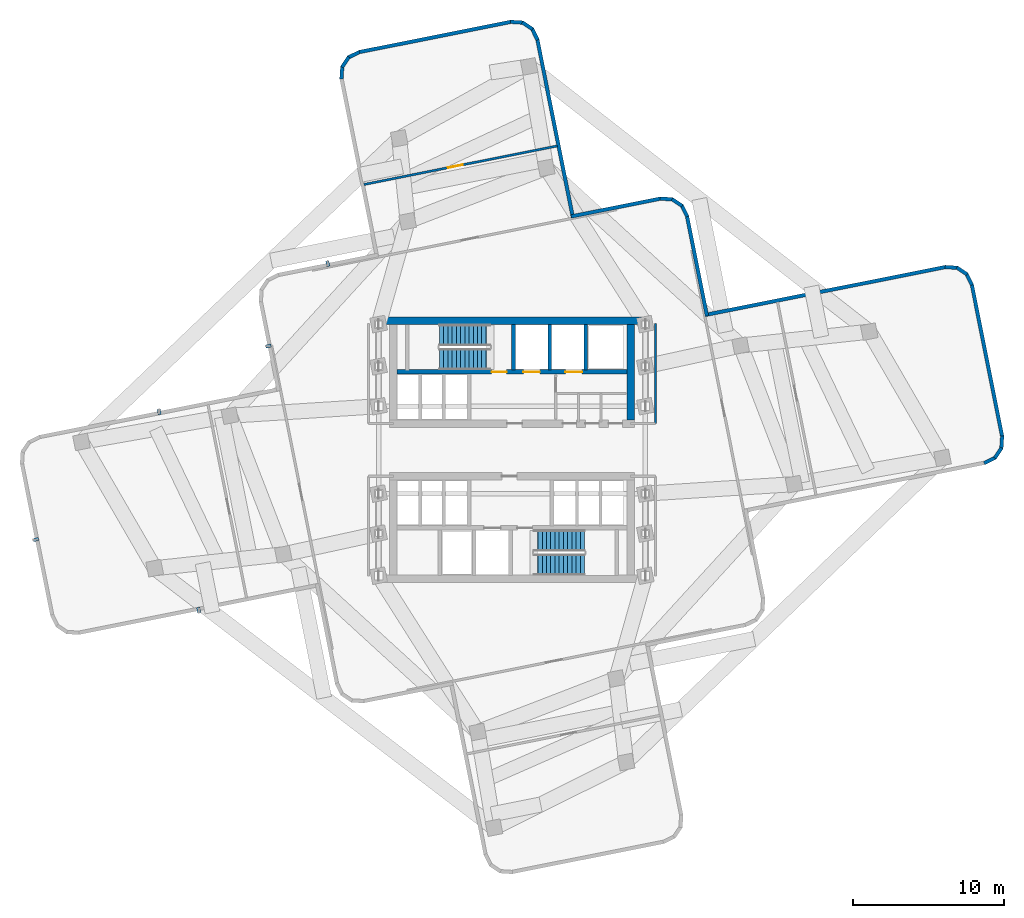
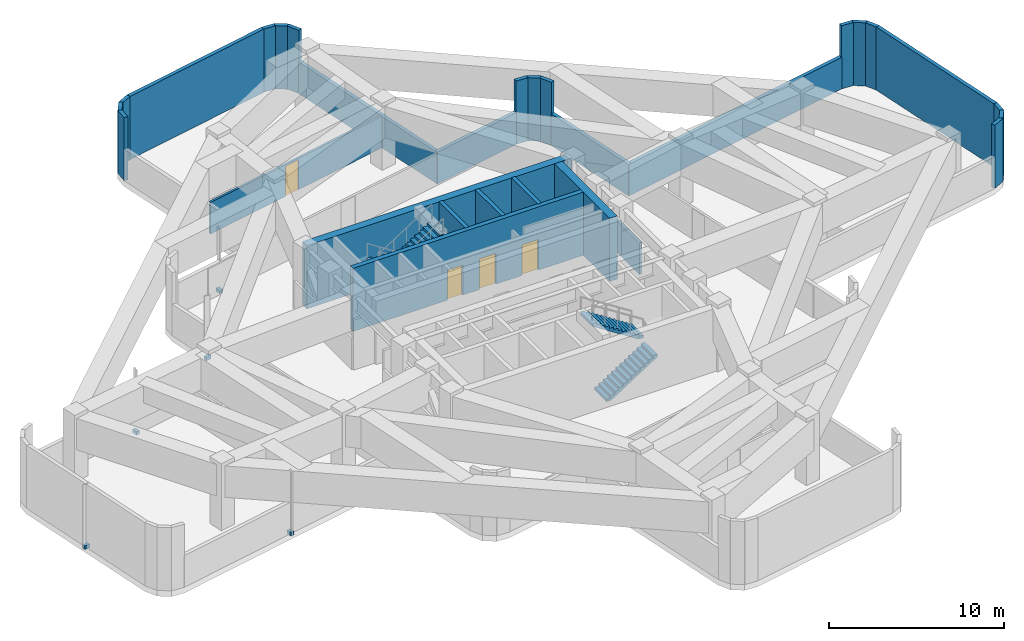
# One storey, part 5 of 7: 29 walls, 5 discrete accessories, 4 doors, 4 stair flights, 4 openings, 2 elements without a shape of their own.
"""IFC4 building model written with IfcOpenShell, lengths in metres."""

from ifc_helpers import new_model, si_unit, direction, frame, frame_2d, origin, origin_2d, place, context, subcontext, project, spatial, polyline, rectangle, outline, extrude, material, layer, layer_set, type_object, element, fill, aggregate, save


model = new_model("IFC4")

# Units and contexts
model_context = context("Model", 3, precision=1e-05, world=origin(), true_north=direction((0.0, 1.0)))
body_context = subcontext(model_context, "Body", "Model", "MODEL_VIEW")
ifc_project = project(units=[si_unit("LENGTHUNIT", "METRE"), si_unit("AREAUNIT", "SQUARE_METRE"), si_unit("VOLUMEUNIT", "CUBIC_METRE"), si_unit("PLANEANGLEUNIT", "RADIAN"), si_unit("MASSUNIT", "GRAM", prefix="KILO")], contexts=[model_context])

# Site, building, storey
site_placement = place(None, origin())
site = spatial("IfcSite", under=ifc_project, at=site_placement, CompositionType="ELEMENT")
building_placement = place(site_placement, origin())
building = spatial("IfcBuilding", under=site, at=building_placement, Name="Solmarez Civic Tower", CompositionType="ELEMENT")
storey_placement = place(building_placement, frame((0.0, 0.0, 107.280029296875)))
storey = spatial("IfcBuildingStorey", under=building, at=storey_placement, Name="L28", CompositionType="ELEMENT", Elevation=107.280029296875)

# Walls
ifc_material_1 = material(Name="Concrete C60/75", Category="concrete")
ifc_layer_1 = layer(ifc_material_1, 0.5)
ifc_layer_set_1 = layer_set([ifc_layer_1], Name="Concrete C60/75")
wall_type_1 = type_object("IfcWallType", Name="WALL-CORE-500", PredefinedType="SHEAR", material=ifc_layer_set_1)
wall_1_placement = place(storey_placement, frame((-8.780029296875, 8.56005859375, 0.0), z_axis=(0.0, 0.0, 1.0), x_axis=(1.0, 0.0, 0.0)))
element("IfcWall", 1, at=wall_1_placement, inside=storey, type_object=wall_type_1, Name="L28 Split-Core Structural Wall NCW-N-L28", PredefinedType="SHEAR", context=body_context, shape_type="SweptSolid", body=[
    extrude(rectangle(XDim=17.56005859375, YDim=0.5, at=frame_2d((8.780029296875, 0.0))), origin(), (0.0, 0.0, 1.0), 4.419921875),
])
wall_2_placement = place(storey_placement, frame((7.8701171875, 8.31005859375, 0.0), z_axis=(0.0, 0.0, 1.0), x_axis=(0.0, -1.0, 0.0)))
element("IfcWall", 2, at=wall_2_placement, inside=storey, type_object=wall_type_1, Name="L28 Split-Core Structural Wall NCW-E-L28", PredefinedType="SHEAR", context=body_context, shape_type="SweptSolid", body=[
    extrude(rectangle(XDim=6.31005859375, YDim=0.5, at=frame_2d((3.155029296875, 0.0))), origin(), (0.0, 0.0, 1.0), 4.419921875),
])
ifc_material_2 = material(Name="Precast concrete C40/50", Category="concrete")
ifc_layer_2 = layer(ifc_material_2, 0.239990234375)
ifc_layer_set_2 = layer_set([ifc_layer_2], Name="Precast concrete C40/50")
wall_type_2 = type_object("IfcWallType", Name="WALL-EXT-240", PredefinedType="SOLIDWALL", material=ifc_layer_set_2)
wall_3_placement = place(storey_placement, frame((-11.322021484375, 24.62109375, 0.0), z_axis=(0.0, 0.0, 1.0), x_axis=(0.066128864644, 0.997811090969, 0.0)))
element("IfcWall", 3, at=wall_3_placement, inside=storey, type_object=wall_type_2, Name="L28 Exterior Precast Wall 21", PredefinedType="SOLIDWALL", context=body_context, shape_type="SweptSolid", body=[
    extrude(rectangle(XDim=0.83056640625, YDim=0.239990234375, at=frame_2d((0.415283203125, 0.0))), origin(), (0.0, 0.0, 1.0), 4.419921875),
])
wall_4_placement = place(storey_placement, frame((-11.282958984375, 25.404052734375, 0.0), z_axis=(0.0, 0.0, 1.0), x_axis=(0.555184616867, 0.831727143475, 0.0)))
element("IfcWall", 4, at=wall_4_placement, inside=storey, type_object=wall_type_2, Name="L28 Exterior Precast Wall 22", PredefinedType="SOLIDWALL", context=body_context, shape_type="SweptSolid", body=[
    extrude(rectangle(XDim=0.81396484375, YDim=0.239990234375, at=frame_2d((0.406982421875, 0.0))), origin(), (0.0, 0.0, 1.0), 4.419921875),
])
wall_5_placement = place(storey_placement, frame((-10.866943359375, 26.049072265625, 0.0), z_axis=(0.0, 0.0, 1.0), x_axis=(0.896360336363, 0.443326231342, 0.0)))
element("IfcWall", 5, at=wall_5_placement, inside=storey, type_object=wall_type_2, Name="L28 Exterior Precast Wall 23", PredefinedType="SOLIDWALL", context=body_context, shape_type="SweptSolid", body=[
    extrude(rectangle(XDim=0.829833984375, YDim=0.239990234375, at=frame_2d((0.4150390625, 0.0))), origin(), (0.0, 0.0, 1.0), 4.419921875),
])
wall_6_placement = place(storey_placement, frame((-10.169921875, 26.40087890625, 0.0), z_axis=(0.0, 0.0, 1.0), x_axis=(0.980690626655, 0.195565576703, 0.0)))
element("IfcWall", 6, at=wall_6_placement, inside=storey, type_object=wall_type_2, Name="L28 Exterior Precast Wall 24", PredefinedType="SOLIDWALL", context=body_context, shape_type="SweptSolid", body=[
    extrude(rectangle(XDim=10.319091796875, YDim=0.239990234375, at=frame_2d((5.15966796875, 0.0))), origin(), (0.0, 0.0, 1.0), 4.419921875),
])
wall_7_placement = place(storey_placement, frame((-0.10009765625, 28.416015625, 0.0), z_axis=(0.0, 0.0, 1.0), x_axis=(0.99788425717, -0.065015454255, 0.0)))
element("IfcWall", 7, at=wall_7_placement, inside=storey, type_object=wall_type_2, Name="L28 Exterior Precast Wall 25", PredefinedType="SOLIDWALL", context=body_context, shape_type="SweptSolid", body=[
    extrude(rectangle(XDim=0.829833984375, YDim=0.239990234375, at=frame_2d((0.4150390625, 0.0))), origin(), (0.0, 0.0, 1.0), 4.419921875),
])
wall_8_placement = place(storey_placement, frame((0.681884765625, 28.3779296875, 0.0), z_axis=(0.0, 0.0, 1.0), x_axis=(0.831635556852, -0.555321799122, 0.0)))
element("IfcWall", 8, at=wall_8_placement, inside=storey, type_object=wall_type_2, Name="L28 Exterior Precast Wall 26", PredefinedType="SOLIDWALL", context=body_context, shape_type="SweptSolid", body=[
    extrude(rectangle(XDim=0.8154296875, YDim=0.239990234375, at=frame_2d((0.40771484375, 0.0))), origin(), (0.0, 0.0, 1.0), 4.419921875),
])
wall_9_placement = place(storey_placement, frame((1.327880859375, 27.9609375, 0.0), z_axis=(0.0, 0.0, 1.0), x_axis=(0.443084385006, -0.896479909292, 0.0)))
element("IfcWall", 9, at=wall_9_placement, inside=storey, type_object=wall_type_2, Name="L28 Exterior Precast Wall 27", PredefinedType="SOLIDWALL", context=body_context, shape_type="SweptSolid", body=[
    extrude(rectangle(XDim=0.82861328125, YDim=0.239990234375, at=frame_2d((0.414306640625, 0.0))), origin(), (0.0, 0.0, 1.0), 4.419921875),
])
wall_10_placement = place(storey_placement, frame((1.678955078125, 27.264892578125, 0.0), z_axis=(0.0, 0.0, 1.0), x_axis=(0.195676792465, -0.980668441875, 0.0)))
element("IfcWall", 10, at=wall_10_placement, inside=storey, type_object=wall_type_2, Name="L28 Exterior Precast Wall 28", PredefinedType="SOLIDWALL", context=body_context, shape_type="SweptSolid", body=[
    extrude(rectangle(XDim=12.076171875, YDim=0.239990234375, at=frame_2d((6.0380859375, 0.0))), origin(), (0.0, 0.0, 1.0), 2.2119140625),
])
wall_11_placement = place(storey_placement, frame((3.928955078125, 15.4970703125, 0.0), z_axis=(0.0, 0.0, 1.0), x_axis=(0.98066404714, 0.19569881616, 0.0)))
element("IfcWall", 11, at=wall_11_placement, inside=storey, type_object=wall_type_2, Name="L28 Exterior Precast Wall 31", PredefinedType="SOLIDWALL", context=body_context, shape_type="SweptSolid", body=[
    extrude(rectangle(XDim=6.075439453125, YDim=0.239990234375, at=frame_2d((3.03759765625, 0.0))), origin(), (0.0, 0.0, 1.0), 2.2119140625),
])
wall_12_placement = place(storey_placement, frame((9.8369140625, 16.68310546875, 0.0), z_axis=(0.0, 0.0, 1.0), x_axis=(0.997865128267, -0.065308389881, 0.0)))
element("IfcWall", 12, at=wall_12_placement, inside=storey, type_object=wall_type_2, Name="L28 Exterior Precast Wall 32", PredefinedType="SOLIDWALL", context=body_context, shape_type="SweptSolid", body=[
    extrude(rectangle(XDim=0.829833984375, YDim=0.239990234375, at=frame_2d((0.4150390625, 0.0))), origin(), (0.0, 0.0, 1.0), 4.419921875),
])
wall_13_placement = place(storey_placement, frame((10.618896484375, 16.64501953125, 0.0), z_axis=(0.0, 0.0, 1.0), x_axis=(0.832188528756, -0.554492788598, 0.0)))
element("IfcWall", 13, at=wall_13_placement, inside=storey, type_object=wall_type_2, Name="L28 Exterior Precast Wall 33", PredefinedType="SOLIDWALL", context=body_context, shape_type="SweptSolid", body=[
    extrude(rectangle(XDim=0.81494140625, YDim=0.239990234375, at=frame_2d((0.407470703125, 0.0))), origin(), (0.0, 0.0, 1.0), 4.419921875),
])
wall_14_placement = place(storey_placement, frame((11.264892578125, 16.22900390625, 0.0), z_axis=(0.0, 0.0, 1.0), x_axis=(0.442616732824, -0.896710894226, 0.0)))
element("IfcWall", 14, at=wall_14_placement, inside=storey, type_object=wall_type_2, Name="L28 Exterior Precast Wall 34", PredefinedType="SOLIDWALL", context=body_context, shape_type="SweptSolid", body=[
    extrude(rectangle(XDim=0.82958984375, YDim=0.239990234375, at=frame_2d((0.414794921875, 0.0))), origin(), (0.0, 0.0, 1.0), 4.419921875),
])
wall_15_placement = place(storey_placement, frame((11.615966796875, 15.531982421875, 0.0), z_axis=(0.0, 0.0, 1.0), x_axis=(0.195679596911, -0.980667882289, 0.0)))
element("IfcWall", 15, at=wall_15_placement, inside=storey, type_object=wall_type_2, Name="L28 Exterior Precast Wall 35", PredefinedType="SOLIDWALL", context=body_context, shape_type="SweptSolid", body=[
    extrude(rectangle(XDim=6.776123046875, YDim=0.239990234375, at=frame_2d((3.38818359375, 0.0))), origin(), (0.0, 0.0, 1.0), 2.2119140625),
])
wall_16_placement = place(storey_placement, frame((12.8291015625, 8.9619140625, 0.0), z_axis=(0.0, 0.0, 1.0), x_axis=(0.980676331544, 0.195637247858, 0.0)))
element("IfcWall", 16, at=wall_16_placement, inside=storey, type_object=wall_type_2, Name="L28 Exterior Precast Wall 38", PredefinedType="SOLIDWALL", context=body_context, shape_type="SweptSolid", body=[
    extrude(rectangle(XDim=16.275390625, YDim=0.239990234375, at=frame_2d((8.1376953125, 0.0))), origin(), (0.0, 0.0, 1.0), 2.2119140625),
])
wall_17_placement = place(storey_placement, frame((28.739990234375, 12.14306640625, 0.0), z_axis=(0.0, 0.0, 1.0), x_axis=(0.997792951373, -0.06640200442, 0.0)))
element("IfcWall", 17, at=wall_17_placement, inside=storey, type_object=wall_type_2, Name="L28 Exterior Precast Wall 39", PredefinedType="SOLIDWALL", context=body_context, shape_type="SweptSolid", body=[
    extrude(rectangle(XDim=0.8310546875, YDim=0.239990234375, at=frame_2d((0.41552734375, 0.0))), origin(), (0.0, 0.0, 1.0), 4.419921875),
])
wall_18_placement = place(storey_placement, frame((29.52294921875, 12.10400390625, 0.0), z_axis=(0.0, 0.0, 1.0), x_axis=(0.831727143475, -0.555184616867, 0.0)))
element("IfcWall", 18, at=wall_18_placement, inside=storey, type_object=wall_type_2, Name="L28 Exterior Precast Wall 40", PredefinedType="SOLIDWALL", context=body_context, shape_type="SweptSolid", body=[
    extrude(rectangle(XDim=0.81396484375, YDim=0.239990234375, at=frame_2d((0.406982421875, 0.0))), origin(), (0.0, 0.0, 1.0), 4.419921875),
])
wall_19_placement = place(storey_placement, frame((30.16796875, 11.68798828125, 0.0), z_axis=(0.0, 0.0, 1.0), x_axis=(0.443794266413, -0.896128701191, 0.0)))
element("IfcWall", 19, at=wall_19_placement, inside=storey, type_object=wall_type_2, Name="L28 Exterior Precast Wall 41", PredefinedType="SOLIDWALL", context=body_context, shape_type="SweptSolid", body=[
    extrude(rectangle(XDim=0.8291015625, YDim=0.239990234375, at=frame_2d((0.41455078125, 0.0))), origin(), (0.0, 0.0, 1.0), 4.419921875),
])
wall_20_placement = place(storey_placement, frame((30.52001953125, 10.991943359375, 0.0), z_axis=(0.0, 0.0, 1.0), x_axis=(0.195565576703, -0.980690626655, 0.0)))
element("IfcWall", 20, at=wall_20_placement, inside=storey, type_object=wall_type_2, Name="L28 Exterior Precast Wall 42", PredefinedType="SOLIDWALL", context=body_context, shape_type="SweptSolid", body=[
    extrude(rectangle(XDim=10.319091796875, YDim=0.239990234375, at=frame_2d((5.15966796875, 0.0))), origin(), (0.0, 0.0, 1.0), 4.419921875),
])
wall_21_placement = place(storey_placement, frame((32.534912109375, 0.922119140625, 0.0), z_axis=(0.0, 0.0, 1.0), x_axis=(-0.066109477186, -0.997812375663, 0.0)))
element("IfcWall", 21, at=wall_21_placement, inside=storey, type_object=wall_type_2, Name="L28 Exterior Precast Wall 43", PredefinedType="SOLIDWALL", context=body_context, shape_type="SweptSolid", body=[
    extrude(rectangle(XDim=0.830810546875, YDim=0.239990234375, at=frame_2d((0.41552734375, 0.0))), origin(), (0.0, 0.0, 1.0), 4.419921875),
])
wall_22_placement = place(storey_placement, frame((32.49609375, 0.138916015625, 0.0), z_axis=(0.0, 0.0, 1.0), x_axis=(-0.555392052936, -0.831588640817, 0.0)))
element("IfcWall", 22, at=wall_22_placement, inside=storey, type_object=wall_type_2, Name="L28 Exterior Precast Wall 44", PredefinedType="SOLIDWALL", context=body_context, shape_type="SweptSolid", body=[
    extrude(rectangle(XDim=0.814208984375, YDim=0.239990234375, at=frame_2d((0.4072265625, 0.0))), origin(), (0.0, 0.0, 1.0), 4.419921875),
])
wall_23_placement = place(storey_placement, frame((32.080078125, -0.506103515625, 0.0), z_axis=(0.0, 0.0, 1.0), x_axis=(-0.896186678749, -0.443677176371, 0.0)))
element("IfcWall", 23, at=wall_23_placement, inside=storey, type_object=wall_type_2, Name="L28 Exterior Precast Wall 45", PredefinedType="SOLIDWALL", context=body_context, shape_type="SweptSolid", body=[
    extrude(rectangle(XDim=0.829345703125, YDim=0.239990234375, at=frame_2d((0.41455078125, 0.0))), origin(), (0.0, 0.0, 1.0), 4.419921875),
])
ifc_material_3 = material(Name="Gypsum Board Acoustic Steel-Stud Partition", Category="steel")
ifc_layer_3 = layer(ifc_material_3, 0.14990234375)
ifc_layer_set_3 = layer_set([ifc_layer_3], Name="Gypsum Board Acoustic Steel-Stud Partition")
wall_type_3 = type_object("IfcWallType", Name="WALL-INT-FIRE-150", PredefinedType="PARTITIONING", material=ifc_layer_set_3)
wall_24_placement = place(storey_placement, frame((9.52001953125, 1.75, 0.0), z_axis=(0.0, 0.0, 1.0), x_axis=(0.0, 1.0, 0.0)))
element("IfcWall", 24, at=wall_24_placement, inside=storey, type_object=wall_type_3, Name="L28 Interior Partition CHW-L28-EN1", PredefinedType="PARTITIONING", context=body_context, shape_type="SweptSolid", body=[
    extrude(rectangle(XDim=6.6298828125, YDim=0.14990234375, at=frame_2d((3.31494140625, 0.0))), origin(), (0.0, 0.0, 1.0), 2.2119140625),
])

# Wall, opening, door
wall_25_placement = place(storey_placement, frame((-9.8310546875, 17.616943359375, 0.0), z_axis=(0.0, 0.0, 1.0), x_axis=(0.980674534157, 0.195646257456, 0.0)))
wall_25 = element("IfcWall", 25, at=wall_25_placement, inside=storey, type_object=wall_type_3, Name="L28 Interior Partition PT-L28-N-MID", PredefinedType="PARTITIONING", context=body_context, shape_type="SweptSolid", body=[
    extrude(rectangle(XDim=13.090087890625, YDim=0.14990234375, at=frame_2d((6.544921875, 0.0))), origin(), (0.0, 0.0, 1.0), 2.2119140625),
])
opening_1_placement = place(wall_25_placement, frame((5.695068359375, 0.0, 0.0)))
opening_1 = element("IfcOpeningElement", 26, at=opening_1_placement, cuts=wall_25, Name="Opening D-04", PredefinedType="OPENING", context=body_context, shape_type="SweptSolid", body=[
    extrude(rectangle(XDim=1.0, YDim=2.10009765625, at=frame_2d((0.5, 1.050048828125))), frame((0.0, 0.0849609375, 0.0), z_axis=(0.0, -1.0, 0.0), x_axis=(1.0, 0.0, 0.0)), (0.0, 0.0, 1.0), 0.169921875),
])
ifc_material_4 = material(Name="Steel-Faced Acoustic Fire Door", Category="steel")
door_type_1 = type_object("IfcDoorType", Name="DOOR-FD60-1000", OperationType="NOTDEFINED", PredefinedType="DOOR", material=ifc_material_4)
door_1_placement = place(opening_1_placement, origin())
door_1 = element("IfcDoor", 27, at=door_1_placement, inside=storey, type_object=door_type_1, Name="L28 Electrical Switchgear Plant Room Door", OperationType="SINGLE_SWING_RIGHT", OverallHeight=2.10009765625, OverallWidth=1.0, PredefinedType="DOOR", context=body_context, shape_type="SweptSolid", body=[
    extrude(rectangle(XDim=1.0, YDim=2.10009765625, at=frame_2d((0.5, 1.050048828125))), frame((0.0, 0.02490234375, 0.0), z_axis=(0.0, -1.0, 0.0), x_axis=(1.0, 0.0, 0.0)), (0.0, 0.0, 1.0), 0.050048828125),
])
fill(opening_1, door_1)

# Wall, openings, doors
ifc_material_5 = material(Name="Concrete C50/60", Category="concrete")
ifc_layer_4 = layer(ifc_material_5, 0.300048828125)
ifc_layer_set_4 = layer_set([ifc_layer_4], Name="Concrete C50/60")
wall_type_4 = type_object("IfcWallType", Name="WALL-STR-300", PredefinedType="SOLIDWALL", material=ifc_layer_set_4)
wall_26_placement = place(storey_placement, frame((7.6201171875, 5.179931640625, 0.0), z_axis=(0.0, 0.0, 1.0), x_axis=(-1.0, 0.0, 0.0)))
wall_26 = element("IfcWall", 28, at=wall_26_placement, inside=storey, type_object=wall_type_4, Name="L28 Split-Core Structural Wall NCW-M-L28", PredefinedType="SOLIDWALL", context=body_context, shape_type="SweptSolid", body=[
    extrude(rectangle(XDim=15.240234375, YDim=0.300048828125, at=frame_2d((7.6201171875, 0.0))), origin(), (0.0, 0.0, 1.0), 4.419921875),
])
opening_2_placement = place(wall_26_placement, frame((5.77001953125, 0.0, 0.0)))
opening_2 = element("IfcOpeningElement", 29, at=opening_2_placement, cuts=wall_26, Name="Opening LD-02", PredefinedType="OPENING", context=body_context, shape_type="SweptSolid", body=[
    extrude(rectangle(XDim=1.10009765625, YDim=2.14990234375, at=frame_2d((0.550048828125, 1.074951171875))), frame((0.0, 0.159912109375, 0.0), z_axis=(0.0, -1.0, 0.0), x_axis=(1.0, 0.0, 0.0)), (0.0, 0.0, 1.0), 0.320068359375),
])
opening_3_placement = place(wall_26_placement, frame((2.969970703125, 0.0, 0.0)))
opening_3 = element("IfcOpeningElement", 30, at=opening_3_placement, cuts=wall_26, Name="Opening LD-03", PredefinedType="OPENING", context=body_context, shape_type="SweptSolid", body=[
    extrude(rectangle(XDim=1.10009765625, YDim=2.14990234375, at=frame_2d((0.550048828125, 1.074951171875))), frame((0.0, 0.159912109375, 0.0), z_axis=(0.0, -1.0, 0.0), x_axis=(1.0, 0.0, 0.0)), (0.0, 0.0, 1.0), 0.320068359375),
])
opening_4_placement = place(wall_26_placement, frame((7.969970703125, 0.0, 0.0)))
opening_4 = element("IfcOpeningElement", 31, at=opening_4_placement, cuts=wall_26, Name="Opening D-05", PredefinedType="OPENING", context=body_context, shape_type="SweptSolid", body=[
    extrude(rectangle(XDim=1.0, YDim=2.10009765625, at=frame_2d((0.5, 1.050048828125))), frame((0.0, 0.159912109375, 0.0), z_axis=(0.0, -1.0, 0.0), x_axis=(1.0, 0.0, 0.0)), (0.0, 0.0, 1.0), 0.320068359375),
])
ifc_material_6 = material(Name="Fire-Rated Stairwell Exit Door", Category="wood")
door_type_2 = type_object("IfcDoorType", Name="DOOR-FD90-1000", OperationType="NOTDEFINED", PredefinedType="DOOR", material=ifc_material_6)
door_2_placement = place(opening_4_placement, origin())
door_2 = element("IfcDoor", 32, at=door_2_placement, inside=storey, type_object=door_type_2, Name="L28 North Exit Stair Door ST-1", OperationType="SINGLE_SWING_LEFT", OverallHeight=2.10009765625, OverallWidth=1.0, PredefinedType="DOOR", context=body_context, shape_type="SweptSolid", body=[
    extrude(rectangle(XDim=1.0, YDim=2.10009765625, at=frame_2d((0.5, 1.050048828125))), frame((0.0, 0.02490234375, 0.0), z_axis=(0.0, -1.0, 0.0), x_axis=(1.0, 0.0, 0.0)), (0.0, 0.0, 1.0), 0.050048828125),
])
fill(opening_4, door_2)
ifc_material_7 = material(Name="Stainless Firefighting Lift Landing Sliding Door", Category="aluminium")
door_type_3 = type_object("IfcDoorType", Name="DOOR-LD-FF-1100", OperationType="DOUBLE_DOOR_SLIDING", PredefinedType="DOOR", material=ifc_material_7)
door_3_placement = place(opening_2_placement, origin())
door_3 = element("IfcDoor", 33, at=door_3_placement, inside=storey, type_object=door_type_3, Name="L28 Firefighting Lift Landing Door FFL-1", OperationType="DOUBLE_DOOR_SLIDING", OverallHeight=2.14990234375, OverallWidth=1.10009765625, PredefinedType="DOOR", context=body_context, shape_type="SweptSolid", body=[
    extrude(rectangle(XDim=1.10009765625, YDim=2.14990234375, at=frame_2d((0.550048828125, 1.074951171875))), frame((0.0, 0.02490234375, 0.0), z_axis=(0.0, -1.0, 0.0), x_axis=(1.0, 0.0, 0.0)), (0.0, 0.0, 1.0), 0.050048828125),
])
fill(opening_2, door_3)
ifc_material_8 = material(Name="Stainless Stretcher Lift Landing Sliding Door", Category="aluminium")
door_type_4 = type_object("IfcDoorType", Name="DOOR-LD-SV-1100", OperationType="DOUBLE_DOOR_SLIDING", PredefinedType="DOOR", material=ifc_material_8)
door_4_placement = place(opening_3_placement, origin())
door_4 = element("IfcDoor", 34, at=door_4_placement, inside=storey, type_object=door_type_4, Name="L28 Service Stretcher Lift Landing Door SVL-1", OperationType="DOUBLE_DOOR_SLIDING", OverallHeight=2.14990234375, OverallWidth=1.10009765625, PredefinedType="DOOR", context=body_context, shape_type="SweptSolid", body=[
    extrude(rectangle(XDim=1.10009765625, YDim=2.14990234375, at=frame_2d((0.550048828125, 1.074951171875))), frame((0.0, 0.02490234375, 0.0), z_axis=(0.0, -1.0, 0.0), x_axis=(1.0, 0.0, 0.0)), (0.0, 0.0, 1.0), 0.050048828125),
])
fill(opening_3, door_4)

# Walls
for number, where, z_axis, x_axis, name in (
    (35, (0.10009765625, 5.300048828125, 0.0), (0.0, 0.0, 1.0), (0.0, 1.0, 0.0), "L28 Split-Core Structural Wall SHW-N1-L28"),
    (36, (2.5, 5.300048828125, 0.0), (0.0, 0.0, 1.0), (0.0, 1.0, 0.0), "L28 Split-Core Structural Wall SHW-N2-L28"),
    (37, (4.89990234375, 5.300048828125, 0.0), (0.0, 0.0, 1.0), (0.0, 1.0, 0.0), "L28 Split-Core Structural Wall SHW-N3-L28"),
):
    element("IfcWall", number, at=place(storey_placement, frame(where, z_axis=z_axis, x_axis=x_axis)), inside=storey, type_object=wall_type_4, Name=name, PredefinedType="SOLIDWALL", context=body_context, shape_type="SweptSolid", body=[
        extrude(rectangle(XDim=3.0400390625, YDim=0.25, at=frame_2d((1.52001953125, 0.0))), origin(), (0.0, 0.0, 1.0), 4.419921875),
    ])

# Stair, stair flights
stair_type = type_object("IfcStairType", Name="STAIR-DOGLEG-140W-26R-1800", PredefinedType="HALF_TURN_STAIR", material=ifc_material_5)
stair_1_placement = place(storey_placement, origin())
stair_1 = element("IfcStair", 38, at=stair_1_placement, inside=storey, type_object=stair_type, Name="L28 North Core Protected Exit Stair ST-1", PredefinedType="HALF_TURN_STAIR")
stair_flight_type = type_object("IfcStairFlightType", Name="FLIGHT-DOGLEG-140W-13R-1800", PredefinedType="STRAIGHT", material=ifc_material_5)
stair_flight_1_placement = place(storey_placement, frame((-1.449951171875, 7.6201171875, 0.0), z_axis=(0.0, 0.0, 1.0), x_axis=(-1.0, 0.0, 0.0)))
stair_flight_1 = element("IfcStairFlight", 39, at=stair_flight_1_placement, type_object=stair_flight_type, Name="ST-1 flight 1", NumberOfRisers=13, NumberOfTreads=12, PredefinedType="STRAIGHT", RiserHeight=0.18, TreadLength=0.28, context=body_context, shape_type="SweptSolid", body=[
    extrude(outline(polyline([(0.0, 0.0), (0.0, 0.179931640625), (0.280029296875, 0.179931640625), (0.280029296875, 0.360107421875), (0.56005859375, 0.360107421875), (0.56005859375, 0.5400390625), (0.840087890625, 0.5400390625), (0.840087890625, 0.719970703125), (1.1201171875, 0.719970703125), (1.1201171875, 0.89990234375), (1.39990234375, 0.89990234375), (1.39990234375, 1.080078125), (1.679931640625, 1.080078125), (1.679931640625, 1.260009765625), (1.9599609375, 1.260009765625), (1.9599609375, 1.43994140625), (2.239990234375, 1.43994140625), (2.239990234375, 1.6201171875), (2.52001953125, 1.6201171875), (2.52001953125, 1.800048828125), (2.800048828125, 1.800048828125), (2.800048828125, 1.97998046875), (3.080078125, 1.97998046875), (3.080078125, 2.159912109375), (3.360107421875, 2.159912109375), (3.360107421875, 2.340087890625), (3.360107421875, 1.969970703125), (0.295654296875, 0.0), (0.0, 0.0)])), frame((0.0, 0.699951171875, 0.0), z_axis=(0.0, -1.0, 0.0), x_axis=(1.0, 0.0, 0.0)), (0.0, 0.0, 1.0), 1.39990234375),
])
stair_flight_2_placement = place(storey_placement, frame((-4.81005859375, 6.02001953125, 2.340087890625), z_axis=(0.0, 0.0, 1.0), x_axis=(1.0, 0.0, 0.0)))
stair_flight_2 = element("IfcStairFlight", 40, at=stair_flight_2_placement, type_object=stair_flight_type, Name="ST-1 flight 2", NumberOfRisers=13, NumberOfTreads=12, PredefinedType="STRAIGHT", RiserHeight=0.18, TreadLength=0.28, context=body_context, shape_type="SweptSolid", body=[
    extrude(outline(polyline([(0.0, 0.0), (0.0, 0.179931640625), (0.280029296875, 0.179931640625), (0.280029296875, 0.360107421875), (0.56005859375, 0.360107421875), (0.56005859375, 0.5400390625), (0.840087890625, 0.5400390625), (0.840087890625, 0.719970703125), (1.1201171875, 0.719970703125), (1.1201171875, 0.89990234375), (1.39990234375, 0.89990234375), (1.39990234375, 1.080078125), (1.679931640625, 1.080078125), (1.679931640625, 1.260009765625), (1.9599609375, 1.260009765625), (1.9599609375, 1.43994140625), (2.239990234375, 1.43994140625), (2.239990234375, 1.6201171875), (2.52001953125, 1.6201171875), (2.52001953125, 1.800048828125), (2.800048828125, 1.800048828125), (2.800048828125, 1.97998046875), (3.080078125, 1.97998046875), (3.080078125, 2.159912109375), (3.360107421875, 2.159912109375), (3.360107421875, 2.340087890625), (3.360107421875, 1.969970703125), (0.295654296875, 0.0), (0.0, 0.0)])), frame((0.0, 0.699951171875, 0.0), z_axis=(0.0, -1.0, 0.0), x_axis=(1.0, 0.0, 0.0)), (0.0, 0.0, 1.0), 1.39990234375),
])
aggregate(stair_1, [stair_flight_1, stair_flight_2])

stair_2_placement = place(storey_placement, origin())
stair_2 = element("IfcStair", 41, at=stair_2_placement, inside=storey, type_object=stair_type, Name="L28 South Core Protected Exit Stair ST-2", PredefinedType="HALF_TURN_STAIR")
stair_flight_3_placement = place(storey_placement, frame((1.449951171875, -7.6201171875, 0.0), z_axis=(0.0, 0.0, 1.0), x_axis=(1.0, 0.0, 0.0)))
stair_flight_3 = element("IfcStairFlight", 42, at=stair_flight_3_placement, type_object=stair_flight_type, Name="ST-2 flight 1", NumberOfRisers=13, NumberOfTreads=12, PredefinedType="STRAIGHT", RiserHeight=0.18, TreadLength=0.28, context=body_context, shape_type="SweptSolid", body=[
    extrude(outline(polyline([(0.0, 0.0), (0.0, 0.179931640625), (0.280029296875, 0.179931640625), (0.280029296875, 0.360107421875), (0.56005859375, 0.360107421875), (0.56005859375, 0.5400390625), (0.840087890625, 0.5400390625), (0.840087890625, 0.719970703125), (1.1201171875, 0.719970703125), (1.1201171875, 0.89990234375), (1.39990234375, 0.89990234375), (1.39990234375, 1.080078125), (1.679931640625, 1.080078125), (1.679931640625, 1.260009765625), (1.9599609375, 1.260009765625), (1.9599609375, 1.43994140625), (2.239990234375, 1.43994140625), (2.239990234375, 1.6201171875), (2.52001953125, 1.6201171875), (2.52001953125, 1.800048828125), (2.800048828125, 1.800048828125), (2.800048828125, 1.97998046875), (3.080078125, 1.97998046875), (3.080078125, 2.159912109375), (3.360107421875, 2.159912109375), (3.360107421875, 2.340087890625), (3.360107421875, 1.969970703125), (0.295654296875, 0.0), (0.0, 0.0)])), frame((0.0, 0.699951171875, 0.0), z_axis=(0.0, -1.0, 0.0), x_axis=(1.0, 0.0, 0.0)), (0.0, 0.0, 1.0), 1.39990234375),
])
stair_flight_4_placement = place(storey_placement, frame((4.81005859375, -6.02001953125, 2.340087890625), z_axis=(0.0, 0.0, 1.0), x_axis=(-1.0, 0.0, 0.0)))
stair_flight_4 = element("IfcStairFlight", 43, at=stair_flight_4_placement, type_object=stair_flight_type, Name="ST-2 flight 2", NumberOfRisers=13, NumberOfTreads=12, PredefinedType="STRAIGHT", RiserHeight=0.18, TreadLength=0.28, context=body_context, shape_type="SweptSolid", body=[
    extrude(outline(polyline([(0.0, 0.0), (0.0, 0.179931640625), (0.280029296875, 0.179931640625), (0.280029296875, 0.360107421875), (0.56005859375, 0.360107421875), (0.56005859375, 0.5400390625), (0.840087890625, 0.5400390625), (0.840087890625, 0.719970703125), (1.1201171875, 0.719970703125), (1.1201171875, 0.89990234375), (1.39990234375, 0.89990234375), (1.39990234375, 1.080078125), (1.679931640625, 1.080078125), (1.679931640625, 1.260009765625), (1.9599609375, 1.260009765625), (1.9599609375, 1.43994140625), (2.239990234375, 1.43994140625), (2.239990234375, 1.6201171875), (2.52001953125, 1.6201171875), (2.52001953125, 1.800048828125), (2.800048828125, 1.800048828125), (2.800048828125, 1.97998046875), (3.080078125, 1.97998046875), (3.080078125, 2.159912109375), (3.360107421875, 2.159912109375), (3.360107421875, 2.340087890625), (3.360107421875, 1.969970703125), (0.295654296875, 0.0), (0.0, 0.0)])), frame((0.0, 0.699951171875, 0.0), z_axis=(0.0, -1.0, 0.0), x_axis=(1.0, 0.0, 0.0)), (0.0, 0.0, 1.0), 1.39990234375),
])
aggregate(stair_2, [stair_flight_3, stair_flight_4])

# Discrete accessories
ifc_material_9 = material(Name="Stainless Steel Grade 1.4401", Category="steel")
discrete_accessory_type = type_object("IfcDiscreteAccessoryType", Name="BRACKET-SS-FIN", PredefinedType="BRACKET", material=ifc_material_9)
for number, where, z_axis, x_axis, name in (
    (44, (-20.7939453125, -10.632080078125, -0.06005859375), (0.0, 0.0, 1.0), (0.19561611714, -0.98068054672, 0.0), "L28 Stainless Fin Support Bracket LVR-L28-01"),
    (45, (-31.60693359375, -5.947998046875, -0.06005859375), (0.0, 0.0, 1.0), (-0.980692885006, -0.19555425155, 0.0), "L28 Stainless Fin Support Bracket LVR-L28-02"),
    (46, (-23.4189453125, 2.528076171875, -0.06005859375), (0.0, 0.0, 1.0), (-0.195604242401, 0.980682915297, 0.0), "L28 Stainless Fin Support Bracket LVR-L28-03"),
    (47, (-16.169921875, 6.89208984375, -0.06005859375), (0.0, 0.0, 1.0), (-0.98067100706, -0.195663936154, 0.0), "L28 Stainless Fin Support Bracket LVR-L28-04"),
    (48, (-12.22509765625, 12.35693359375, -0.06005859375), (0.0, 0.0, 1.0), (-0.195653738913, 0.980673041564, 0.0), "L28 Stainless Fin Support Bracket LVR-L28-05"),
):
    element("IfcDiscreteAccessory", number, at=place(storey_placement, frame(where, z_axis=z_axis, x_axis=x_axis)), inside=storey, type_object=discrete_accessory_type, Name=name, PredefinedType="BRACKET", context=body_context, shape_type="SweptSolid", body=[
        extrude(rectangle(XDim=0.360107421875, YDim=0.219970703125, at=origin_2d()), origin(), (0.0, 0.0, 1.0), 0.239990234375),
    ])

save(model, "model.ifc")
